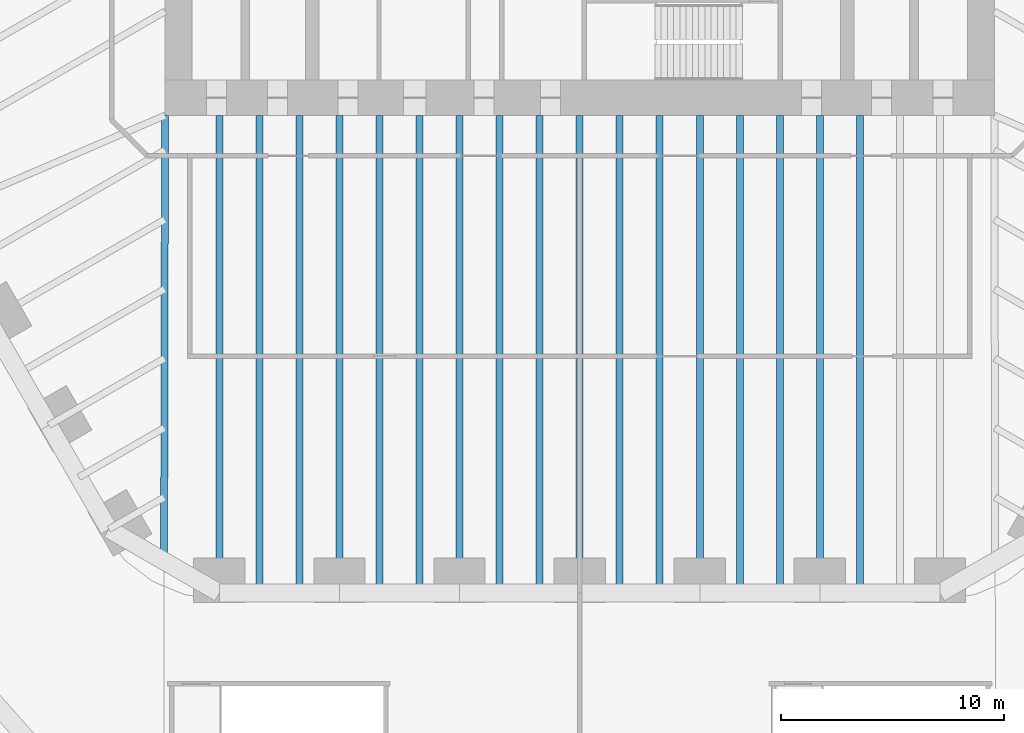
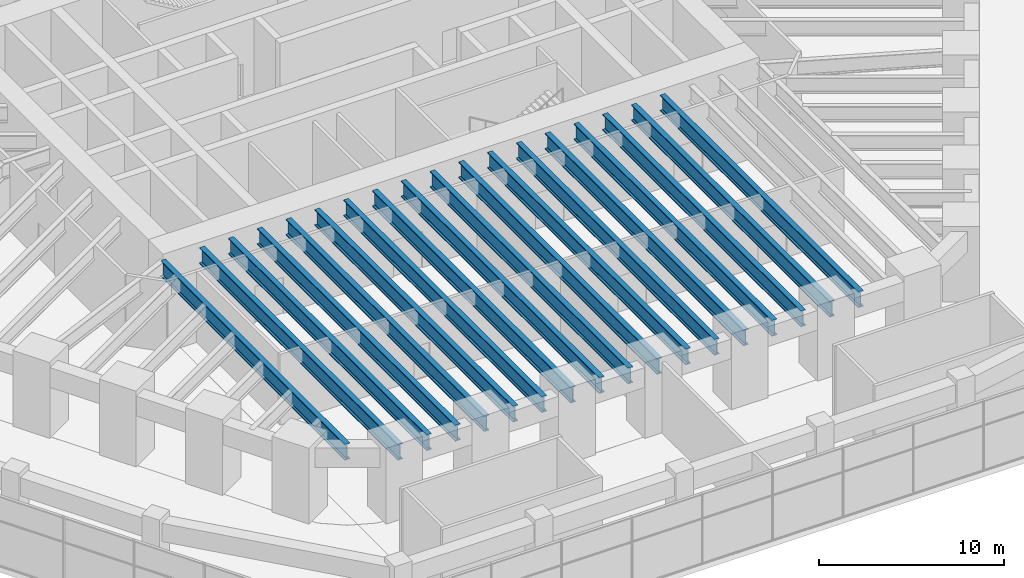
# One storey, part 8 of 31: 18 beams.
"""IFC4 building model written with IfcOpenShell, lengths in metres."""

from ifc_helpers import new_model, si_unit, direction, frame, origin, origin_2d, place, context, subcontext, project, spatial, i_section, extrude, material, material_profile, profile_set, type_object, element, save


model = new_model("IFC4")

# Units and contexts
model_context = context("Model", 3, precision=1e-05, world=origin(), true_north=direction((0.0, 1.0)))
body_context = subcontext(model_context, "Body", "Model", "MODEL_VIEW")
ifc_project = project(units=[si_unit("LENGTHUNIT", "METRE"), si_unit("AREAUNIT", "SQUARE_METRE"), si_unit("VOLUMEUNIT", "CUBIC_METRE"), si_unit("PLANEANGLEUNIT", "RADIAN"), si_unit("MASSUNIT", "GRAM", prefix="KILO")], contexts=[model_context])

# Site, building, storey
site_placement = place(None, origin())
site = spatial("IfcSite", under=ifc_project, at=site_placement, CompositionType="ELEMENT")
building_placement = place(site_placement, origin())
building = spatial("IfcBuilding", under=site, at=building_placement, Name="Tarfa Lantern Tower", CompositionType="ELEMENT")
storey_placement = place(building_placement, frame((0.0, 0.0, 18.5)))
storey = spatial("IfcBuildingStorey", under=building, at=storey_placement, Name="L03", CompositionType="ELEMENT", Elevation=18.5)

# Beams
ifc_material = material(Name="Steel S460M", Category="steel")
ifc_material_profile = material_profile(ifc_material, i_section(OverallWidth=0.314208984375, OverallDepth=1.055908203125, WebThickness=0.035888671875, FlangeThickness=0.06396484375, FilletRadius=0.030029296875, at=origin_2d()), Name="UB1016x305x584")
ifc_profile_set = profile_set([ifc_material_profile], Name="Steel S460M")
beam_type = type_object("IfcBeamType", Name="UB1016x305x584", PredefinedType="BEAM", material=ifc_profile_set)
beam_placement = place(storey_placement, frame((-18.60009765625, -12.300048828125, 4.1220703125), z_axis=(-0.00212508222, -0.99999774201, 0.0), x_axis=(0.99999774201, -0.00212508222, 0.0)))
element("IfcBeam", 1, at=beam_placement, inside=storey, type_object=beam_type, Name="Hip girder SW", PredefinedType="BEAM", context=body_context, shape_type="SweptSolid", body=[
    extrude(i_section(OverallWidth=0.314208984375, OverallDepth=1.055908203125, WebThickness=0.035888671875, FlangeThickness=0.06396484375, FilletRadius=0.030029296875, at=origin_2d()), origin(), (0.0, 0.0, 1.0), 19.989990234375),
])
for number, where, z_axis, x_axis, name in (
    (2, (-16.165771484375, -33.719970703125, 4.1220703125), (0.0, 1.0, 0.0), (-1.0, 0.0, 0.0), "Floor beam S0"),
    (3, (-10.777099609375, -33.719970703125, 4.1220703125), (0.0, 1.0, 0.0), (-1.0, 0.0, 0.0), "Floor beam S1"),
    (4, (-5.388671875, -33.719970703125, 4.1220703125), (0.0, 1.0, 0.0), (-1.0, 0.0, 0.0), "Floor beam S2"),
    (5, (0.0, -33.719970703125, 4.1220703125), (0.0, 1.0, 0.0), (-1.0, 0.0, 0.0), "Floor beam S3"),
    (6, (5.388671875, -33.719970703125, 4.1220703125), (0.0, 1.0, 0.0), (-1.0, 0.0, 0.0), "Floor beam S4"),
    (7, (10.777099609375, -33.719970703125, 4.1220703125), (0.0, 1.0, 0.0), (-1.0, 0.0, 0.0), "Floor beam S5"),
    (8, (-14.36962890625, -33.719970703125, 4.1220703125), (0.0, 1.0, 0.0), (-1.0, 0.0, 0.0), "Floor beam S0M1"),
    (9, (-12.573486328125, -33.719970703125, 4.1220703125), (0.0, 1.0, 0.0), (-1.0, 0.0, 0.0), "Floor beam S0M2"),
    (10, (-8.98095703125, -33.719970703125, 4.1220703125), (0.0, 1.0, 0.0), (-1.0, 0.0, 0.0), "Floor beam S1M1"),
    (11, (-7.184814453125, -33.719970703125, 4.1220703125), (0.0, 1.0, 0.0), (-1.0, 0.0, 0.0), "Floor beam S1M2"),
    (12, (-3.59228515625, -33.719970703125, 4.1220703125), (0.0, 1.0, 0.0), (-1.0, 0.0, 0.0), "Floor beam S2M1"),
    (13, (-1.796142578125, -33.719970703125, 4.1220703125), (0.0, 1.0, 0.0), (-1.0, 0.0, 0.0), "Floor beam S2M2"),
    (14, (1.796142578125, -33.719970703125, 4.1220703125), (0.0, 1.0, 0.0), (-1.0, 0.0, 0.0), "Floor beam S3M1"),
    (15, (3.59228515625, -33.719970703125, 4.1220703125), (0.0, 1.0, 0.0), (-1.0, 0.0, 0.0), "Floor beam S3M2"),
    (16, (7.184814453125, -33.719970703125, 4.1220703125), (0.0, 1.0, 0.0), (-1.0, 0.0, 0.0), "Floor beam S4M1"),
    (17, (8.98095703125, -33.719970703125, 4.1220703125), (0.0, 1.0, 0.0), (-1.0, 0.0, 0.0), "Floor beam S4M2"),
    (18, (12.573486328125, -33.719970703125, 4.1220703125), (0.0, 1.0, 0.0), (-1.0, 0.0, 0.0), "Floor beam S5M1"),
):
    element("IfcBeam", number, at=place(storey_placement, frame(where, z_axis=z_axis, x_axis=x_axis)), inside=storey, type_object=beam_type, Name=name, PredefinedType="BEAM", context=body_context, shape_type="SweptSolid", body=[
        extrude(i_section(OverallWidth=0.314208984375, OverallDepth=1.055908203125, WebThickness=0.035888671875, FlangeThickness=0.06396484375, FilletRadius=0.030029296875, at=origin_2d()), origin(), (0.0, 0.0, 1.0), 21.419921875),
    ])

save(model, "model.ifc")
